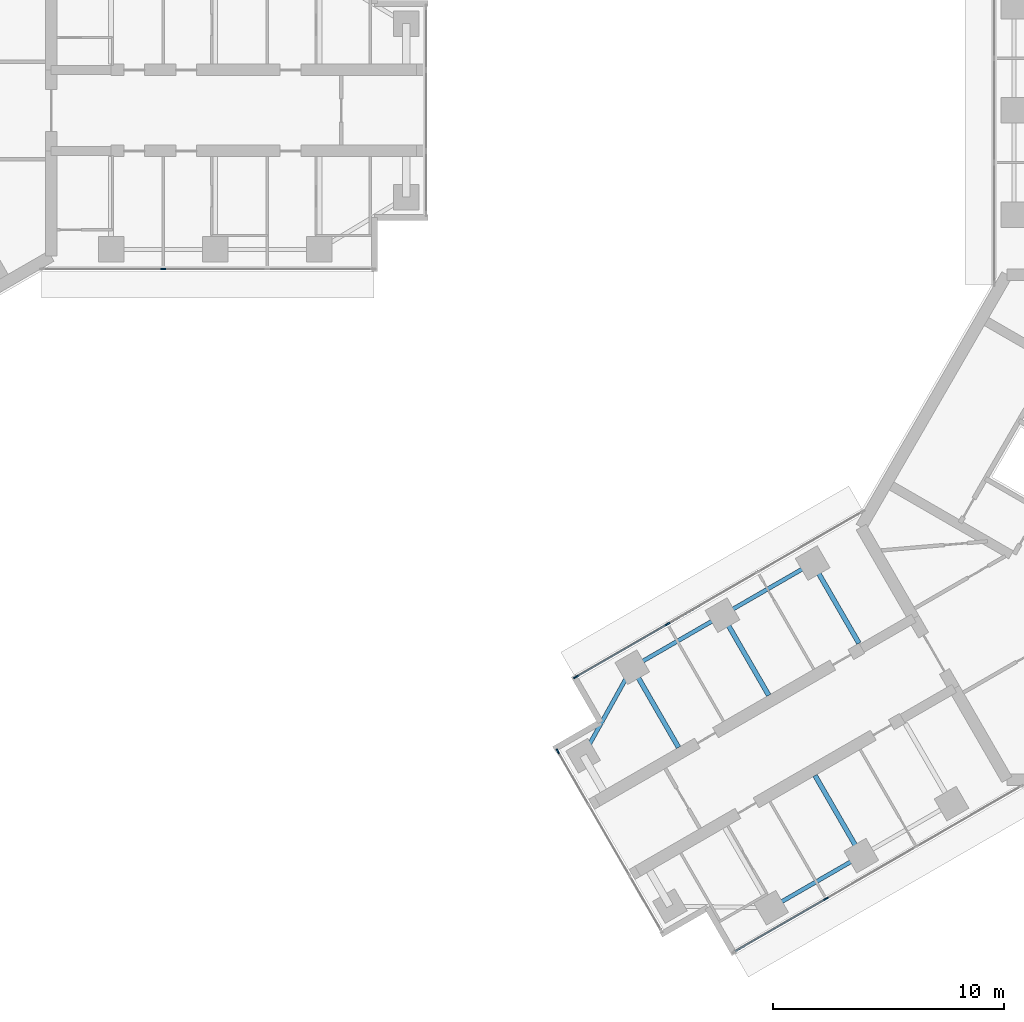
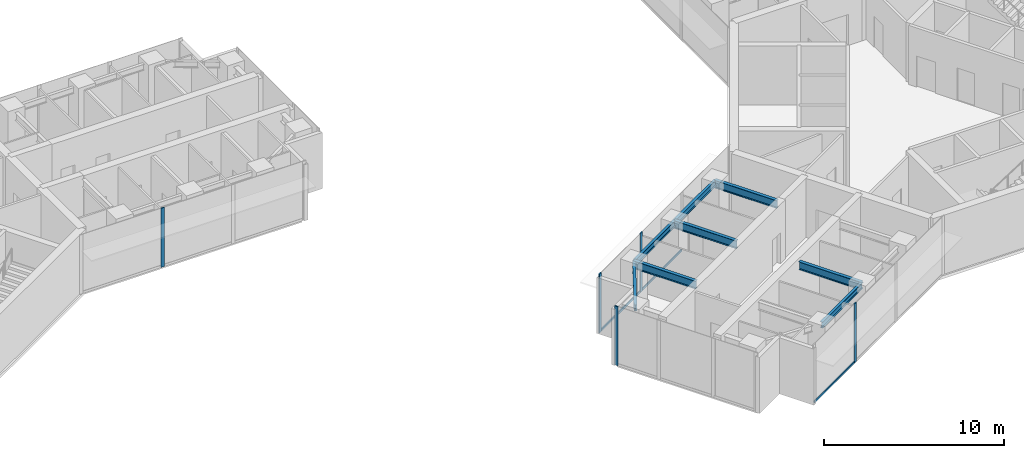
# One storey, part 3 of 17: 8 beams, 8 members, 4 elements without a shape of their own.
"""IFC4 building model written with IfcOpenShell, lengths in metres."""

from ifc_helpers import new_model, si_unit, direction, frame, origin, origin_2d, place, context, subcontext, project, spatial, rectangle, i_section, extrude, material, material_profile, profile_set, type_object, element, aggregate, save


model = new_model("IFC4")

# Units and contexts
model_context = context("Model", 3, precision=1e-05, world=origin(), true_north=direction((0.0, 1.0)))
body_context = subcontext(model_context, "Body", "Model", "MODEL_VIEW")
ifc_project = project(units=[si_unit("LENGTHUNIT", "METRE"), si_unit("AREAUNIT", "SQUARE_METRE"), si_unit("VOLUMEUNIT", "CUBIC_METRE"), si_unit("PLANEANGLEUNIT", "RADIAN"), si_unit("MASSUNIT", "GRAM", prefix="KILO")], contexts=[model_context])

# Site, building, storey
site_placement = place(None, origin())
site = spatial("IfcSite", under=ifc_project, at=site_placement, CompositionType="ELEMENT")
building_placement = place(site_placement, origin())
building = spatial("IfcBuilding", under=site, at=building_placement, Name="Upepo Twin Towers", CompositionType="ELEMENT")
storey_placement = place(building_placement, frame((0.0, 0.0, 230.5)))
storey = spatial("IfcBuildingStorey", under=building, at=storey_placement, Name="L56", CompositionType="ELEMENT", Elevation=230.5)

# Beams
ifc_material_1 = material(Name="Steel S355", Category="steel")
ifc_material_profile_1 = material_profile(ifc_material_1, i_section(OverallWidth=0.177978515625, OverallDepth=0.406494140625, WebThickness=0.0078125, FlangeThickness=0.0126953125, FilletRadius=0.01025390625, at=origin_2d()), Name="UB 406x178x60")
ifc_profile_set_1 = profile_set([ifc_material_profile_1], Name="Steel S355")
beam_type_1 = type_object("IfcBeamType", Name="Beam UB 406x178x60", PredefinedType="BEAM", material=ifc_profile_set_1)
beam_1_placement = place(storey_placement, frame((45.91162109375, -32.196044921875, 3.5966796875), z_axis=(-0.866031096941, -0.499990139034, 0.0), x_axis=(0.499990139034, -0.866031096941, 0.0)))
element("IfcBeam", 1, at=beam_1_placement, inside=storey, type_object=beam_type_1, Name="T2 edge beam BL 18.0-22.5", PredefinedType="BEAM", context=body_context, shape_type="SweptSolid", body=[
    extrude(i_section(OverallWidth=0.177978515625, OverallDepth=0.406494140625, WebThickness=0.0078125, FlangeThickness=0.0126953125, FilletRadius=0.01025390625, at=origin_2d()), origin(), (0.0, 0.0, 1.0), 4.5),
])
beam_2_placement = place(storey_placement, frame((43.80859375, -19.553955078125, 3.5966796875), z_axis=(-0.866017533419, -0.500013631625, 0.0), x_axis=(0.500013631625, -0.866017533419, 0.0)))
element("IfcBeam", 2, at=beam_2_placement, inside=storey, type_object=beam_type_1, Name="T2 edge beam BR 13.5-18.0", PredefinedType="BEAM", context=body_context, shape_type="SweptSolid", body=[
    extrude(i_section(OverallWidth=0.177978515625, OverallDepth=0.406494140625, WebThickness=0.0078125, FlangeThickness=0.0126953125, FilletRadius=0.01025390625, at=origin_2d()), origin(), (0.0, 0.0, 1.0), 4.499755859375),
])
beam_3_placement = place(storey_placement, frame((39.91162109375, -21.803955078125, 3.5966796875), z_axis=(-0.866031096941, -0.499990139034, 0.0), x_axis=(0.499990139034, -0.866031096941, 0.0)))
element("IfcBeam", 3, at=beam_3_placement, inside=storey, type_object=beam_type_1, Name="T2 edge beam BR 18.0-22.5", PredefinedType="BEAM", context=body_context, shape_type="SweptSolid", body=[
    extrude(i_section(OverallWidth=0.177978515625, OverallDepth=0.406494140625, WebThickness=0.0078125, FlangeThickness=0.0126953125, FilletRadius=0.01025390625, at=origin_2d()), origin(), (0.0, 0.0, 1.0), 4.5),
])
beam_4_placement = place(storey_placement, frame((36.014404296875, -24.053955078125, 3.5966796875), z_axis=(-0.485363242752, -0.874312600038, 0.0), x_axis=(0.874312600038, -0.485363242752, 0.0)))
element("IfcBeam", 4, at=beam_4_placement, inside=storey, type_object=beam_type_1, Name="T2 nose edge beam BR", PredefinedType="BEAM", context=body_context, shape_type="SweptSolid", body=[
    extrude(i_section(OverallWidth=0.177978515625, OverallDepth=0.406494140625, WebThickness=0.0078125, FlangeThickness=0.0126953125, FilletRadius=0.01025390625, at=origin_2d()), origin(), (0.0, 0.0, 1.0), 4.373046875),
])
ifc_material_2 = material(Name="Steel S355", Category="steel")
ifc_material_profile_2 = material_profile(ifc_material_2, i_section(OverallWidth=0.209228515625, OverallDepth=0.533203125, WebThickness=0.010009765625, FlangeThickness=0.015625, FilletRadius=0.0126953125, at=origin_2d()), Name="UB 533x210x92")
ifc_profile_set_2 = profile_set([ifc_material_profile_2], Name="Steel S355")
beam_type_2 = type_object("IfcBeamType", Name="Beam UB 533x210x92", PredefinedType="BEAM", material=ifc_profile_set_2)
for number, where, z_axis, x_axis, name in (
    (5, (45.91162109375, -32.196044921875, 3.533447265625), (-0.49999894854, 0.866026010844, 0.0), (-0.866026010844, -0.49999894854, 0.0), "T2 girder BL at 18.0"),
    (6, (43.80859375, -19.553955078125, 3.533447265625), (0.49999894854, -0.866026010844, 0.0), (0.866026010844, 0.49999894854, 0.0), "T2 girder BR at 13.5"),
    (7, (39.91162109375, -21.803955078125, 3.533447265625), (0.49999894854, -0.866026010844, 0.0), (0.866026010844, 0.49999894854, 0.0), "T2 girder BR at 18.0"),
    (8, (36.014404296875, -24.053955078125, 3.533447265625), (0.49999894854, -0.866026010844, 0.0), (0.866026010844, 0.49999894854, 0.0), "T2 girder BR at 22.5"),
):
    element("IfcBeam", number, at=place(storey_placement, frame(where, z_axis=z_axis, x_axis=x_axis)), inside=storey, type_object=beam_type_2, Name=name, PredefinedType="BEAM", context=body_context, shape_type="SweptSolid", body=[
        extrude(i_section(OverallWidth=0.209228515625, OverallDepth=0.533203125, WebThickness=0.010009765625, FlangeThickness=0.015625, FilletRadius=0.0126953125, at=origin_2d()), origin(), (0.0, 0.0, 1.0), 4.0),
    ])

# Curtain wall, member
ifc_material_3 = material(Name="Aluminium and fritted glass", Category="aluminium")
curtain_wall_type = type_object("IfcCurtainWallType", Name="Tower curtain wall TW3, fritted glass", PredefinedType="NOTDEFINED", material=ifc_material_3)
curtain_wall_1_placement = place(storey_placement, origin())
curtain_wall_1 = element("IfcCurtainWall", 9, at=curtain_wall_1_placement, inside=storey, type_object=curtain_wall_type, Name="T1 L56 wing A flank R curtain wall", PredefinedType="NOTDEFINED")
ifc_material_4 = material(Name="Aluminium mullion", Category="aluminium")
ifc_material_profile_3 = material_profile(ifc_material_4, rectangle(XDim=0.06494140625, YDim=0.22509765625, at=origin_2d()), Name="MULLION 65x225")
ifc_profile_set_3 = profile_set([ifc_material_profile_3], Name="Aluminium mullion")
member_type_1 = type_object("IfcMemberType", Name="Mullion 65x225 TW3", PredefinedType="MULLION", material=ifc_profile_set_3)
member_1_placement = place(storey_placement, frame((15.75, -6.85009765625, 0.0), z_axis=(0.0, 0.0, 1.0), x_axis=(0.0, -1.0, 0.0)))
member_1 = element("IfcMember", 10, at=member_1_placement, type_object=member_type_1, Name="T1 L56 wing A flank R curtain wall mullion 3", PredefinedType="MULLION", context=body_context, shape_type="SweptSolid", body=[
    extrude(rectangle(XDim=0.06494140625, YDim=0.22509765625, at=origin_2d()), origin(), (0.0, 0.0, 1.0), 4.0),
])
aggregate(curtain_wall_1, [member_1])

curtain_wall_2_placement = place(storey_placement, origin())
curtain_wall_2 = element("IfcCurtainWall", 11, at=curtain_wall_2_placement, inside=storey, type_object=curtain_wall_type, Name="T2 L56 wing B flank L curtain wall", PredefinedType="NOTDEFINED")
member_2_placement = place(storey_placement, frame((44.387939453125, -34.057373046875, 0.0), z_axis=(0.0, 0.0, 1.0), x_axis=(0.500000026527, -0.866025388469, 0.0)))
member_2 = element("IfcMember", 12, at=member_2_placement, type_object=member_type_1, Name="T2 L56 wing B flank L curtain wall mullion 3", PredefinedType="MULLION", context=body_context, shape_type="SweptSolid", body=[
    extrude(rectangle(XDim=0.06494140625, YDim=0.22509765625, at=origin_2d()), origin(), (0.0, 0.0, 1.0), 4.0),
])

# Curtain wall, members
curtain_wall_3_placement = place(storey_placement, origin())
curtain_wall_3 = element("IfcCurtainWall", 13, at=curtain_wall_3_placement, inside=storey, type_object=curtain_wall_type, Name="T2 L56 wing B flank R curtain wall", PredefinedType="NOTDEFINED")
member_3_placement = place(storey_placement, frame((33.58251953125, -24.4765625, 0.0), z_axis=(0.0, 0.0, 1.0), x_axis=(-0.500000026527, 0.866025388469, 0.0)))
member_3 = element("IfcMember", 14, at=member_3_placement, type_object=member_type_1, Name="T2 L56 wing B flank R curtain wall mullion 1", PredefinedType="MULLION", context=body_context, shape_type="SweptSolid", body=[
    extrude(rectangle(XDim=0.06494140625, YDim=0.22509765625, at=origin_2d()), origin(), (0.0, 0.0, 1.0), 4.0),
])
member_4_placement = place(storey_placement, frame((37.5380859375, -22.192626953125, 0.0), z_axis=(0.0, 0.0, 1.0), x_axis=(-0.500000026527, 0.866025388469, 0.0)))
member_4 = element("IfcMember", 15, at=member_4_placement, type_object=member_type_1, Name="T2 L56 wing B flank R curtain wall mullion 2", PredefinedType="MULLION", context=body_context, shape_type="SweptSolid", body=[
    extrude(rectangle(XDim=0.06494140625, YDim=0.22509765625, at=origin_2d()), origin(), (0.0, 0.0, 1.0), 4.0),
])

# Curtain wall, member
curtain_wall_4_placement = place(storey_placement, origin())
curtain_wall_4 = element("IfcCurtainWall", 16, at=curtain_wall_4_placement, inside=storey, type_object=curtain_wall_type, Name="T2 L56 wing B nose curtain wall", PredefinedType="NOTDEFINED")
member_5_placement = place(storey_placement, frame((32.796875, -27.68115234375, 0.0), z_axis=(0.0, 0.0, 1.0), x_axis=(0.866025386174, 0.500000030502, 0.0)))
member_5 = element("IfcMember", 17, at=member_5_placement, type_object=member_type_1, Name="T2 L56 wing B nose curtain wall mullion 1", PredefinedType="MULLION", context=body_context, shape_type="SweptSolid", body=[
    extrude(rectangle(XDim=0.06494140625, YDim=0.22509765625, at=origin_2d()), origin(), (0.0, 0.0, 1.0), 4.0),
])
aggregate(curtain_wall_4, [member_5])

# Member
ifc_material_5 = material(Name="Aluminium transom", Category="aluminium")
ifc_material_profile_4 = material_profile(ifc_material_5, rectangle(XDim=0.06494140625, YDim=0.14990234375, at=origin_2d()), Name="TRANSOM 65x150")
ifc_profile_set_4 = profile_set([ifc_material_profile_4], Name="Aluminium transom")
member_type_2 = type_object("IfcMemberType", Name="Transom 65x150 TW3", PredefinedType="USERDEFINED", material=ifc_profile_set_4)
member_6_placement = place(storey_placement, frame((44.35986328125, -34.073486328125, 0.074951171875), z_axis=(-0.866035699072, -0.499982167615, 0.0), x_axis=(0.499982167615, -0.866035699072, 0.0)))
member_6 = element("IfcMember", 18, at=member_6_placement, type_object=member_type_2, Name="T2 L56 wing B flank L curtain wall transom 3", ObjectType="TRANSOM", PredefinedType="USERDEFINED", context=body_context, shape_type="SweptSolid", body=[
    extrude(rectangle(XDim=0.06494140625, YDim=0.14990234375, at=origin_2d()), origin(), (0.0, 0.0, 1.0), 4.502685546875),
])

aggregate(curtain_wall_2, [member_2, member_6])

member_7_placement = place(storey_placement, frame((33.610595703125, -24.460205078125, 0.074951171875), z_axis=(0.866022143554, 0.500005646842, 0.0), x_axis=(-0.500005646842, 0.866022143554, 0.0)))
member_7 = element("IfcMember", 19, at=member_7_placement, type_object=member_type_2, Name="T2 L56 wing B flank R curtain wall transom 1", ObjectType="TRANSOM", PredefinedType="USERDEFINED", context=body_context, shape_type="SweptSolid", body=[
    extrude(rectangle(XDim=0.06494140625, YDim=0.14990234375, at=origin_2d()), origin(), (0.0, 0.0, 1.0), 4.50244140625),
])

member_8_placement = place(storey_placement, frame((37.566162109375, -22.176513671875, 0.074951171875), z_axis=(0.866022410713, 0.500005184116, 0.0), x_axis=(-0.500005184116, 0.866022410713, 0.0)))
member_8 = element("IfcMember", 20, at=member_8_placement, type_object=member_type_2, Name="T2 L56 wing B flank R curtain wall transom 2", ObjectType="TRANSOM", PredefinedType="USERDEFINED", context=body_context, shape_type="SweptSolid", body=[
    extrude(rectangle(XDim=0.06494140625, YDim=0.14990234375, at=origin_2d()), origin(), (0.0, 0.0, 1.0), 4.43505859375),
])

aggregate(curtain_wall_3, [member_3, member_4, member_7, member_8])

save(model, "model.ifc")
